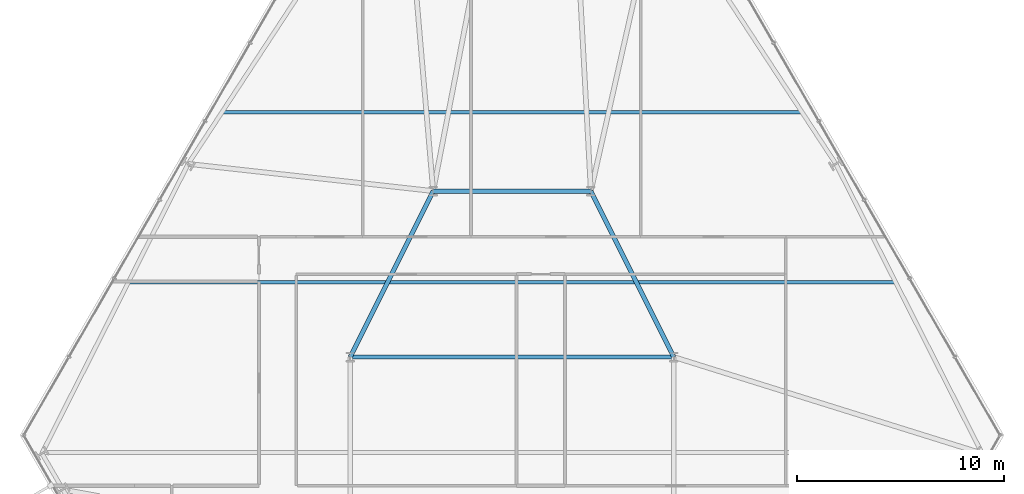
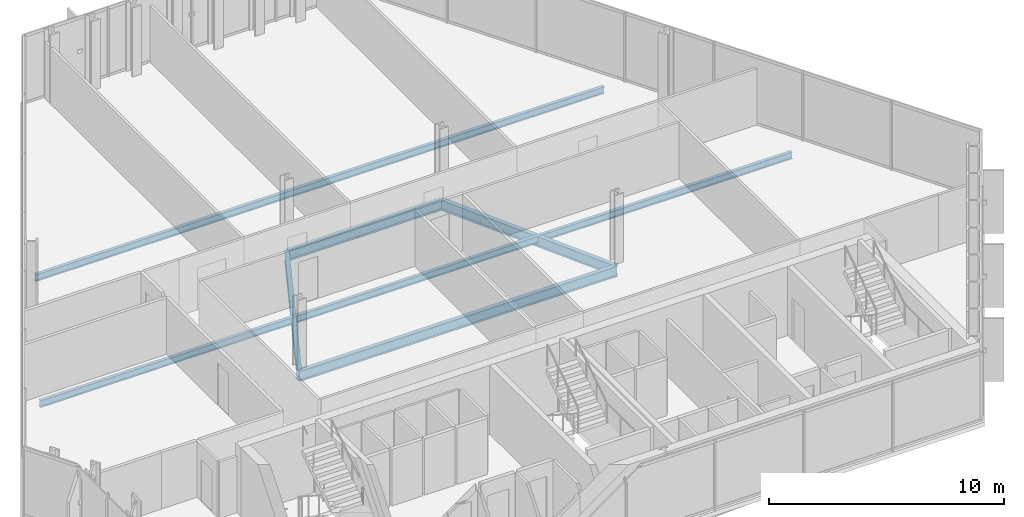
# One storey, part 13 of 33: 6 beams.
"""IFC4 building model written with IfcOpenShell, lengths in metres."""

from ifc_helpers import new_model, si_unit, direction, frame, origin, origin_2d, place, context, subcontext, project, spatial, i_section, extrude, material, material_profile, profile_set, type_object, element, save


model = new_model("IFC4")

# Units and contexts
model_context = context("Model", 3, precision=1e-05, world=origin(), true_north=direction((0.0, 1.0)))
body_context = subcontext(model_context, "Body", "Model", "MODEL_VIEW")
ifc_project = project(units=[si_unit("LENGTHUNIT", "METRE"), si_unit("AREAUNIT", "SQUARE_METRE"), si_unit("VOLUMEUNIT", "CUBIC_METRE"), si_unit("PLANEANGLEUNIT", "RADIAN"), si_unit("MASSUNIT", "GRAM", prefix="KILO")], contexts=[model_context])

# Site, building, storey
site_placement = place(None, origin())
site = spatial("IfcSite", under=ifc_project, at=site_placement, CompositionType="ELEMENT")
building_placement = place(site_placement, origin())
building = spatial("IfcBuilding", under=site, at=building_placement, Name="Ndaravel Arena Tower", CompositionType="ELEMENT")
storey_placement = place(building_placement, frame((0.0, 0.0, 36.0)))
storey = spatial("IfcBuildingStorey", under=building, at=storey_placement, Name="L06", CompositionType="ELEMENT", Elevation=36.0)

# Beams
ifc_material_1 = material(Name="Steel S355", Category="steel")
ifc_material_profile_1 = material_profile(ifc_material_1, i_section(OverallWidth=0.210693359375, OverallDepth=0.53955078125, WebThickness=0.01171875, FlangeThickness=0.018798828125, FilletRadius=0.0126953125, at=origin_2d()), Name="UB 533x210x109")
ifc_profile_set_1 = profile_set([ifc_material_profile_1], Name="Steel S355")
beam_type_1 = type_object("IfcBeamType", Name="BM-GIRD-UB533", PredefinedType="BEAM", material=ifc_profile_set_1)
beam_1_placement = place(storey_placement, frame((34.199951171875, 23.199951171875, -0.48974609375), z_axis=(1.0, 0.0, 0.0), x_axis=(0.0, 1.0, 0.0)))
element("IfcBeam", 1, at=beam_1_placement, inside=storey, type_object=beam_type_1, Name="L06 Spine Link Girder SLG-03", PredefinedType="BEAM", context=body_context, shape_type="SweptSolid", body=[
    extrude(i_section(OverallWidth=0.210693359375, OverallDepth=0.53955078125, WebThickness=0.01171875, FlangeThickness=0.018798828125, FilletRadius=0.0126953125, at=origin_2d()), origin(), (0.0, 0.0, 1.0), 15.60009765625),
])
for number, where, z_axis, x_axis, name in (
    (2, (34.199951171875, 23.199951171875, -0.48974609375), (0.4472135955, 0.894427191, 0.0), (-0.894427191, 0.4472135955, 0.0), "L06 Spine Link Girder SLG-04"),
    (3, (49.800048828125, 23.199951171875, -0.48974609375), (-0.4472135955, 0.894427191, 0.0), (-0.894427191, -0.4472135955, 0.0), "L06 Spine Link Girder SLG-05"),
):
    element("IfcBeam", number, at=place(storey_placement, frame(where, z_axis=z_axis, x_axis=x_axis)), inside=storey, type_object=beam_type_1, Name=name, PredefinedType="BEAM", context=body_context, shape_type="SweptSolid", body=[
        extrude(i_section(OverallWidth=0.210693359375, OverallDepth=0.53955078125, WebThickness=0.01171875, FlangeThickness=0.018798828125, FilletRadius=0.0126953125, at=origin_2d()), origin(), (0.0, 0.0, 1.0), 8.9443359375),
    ])
beam_2_placement = place(storey_placement, frame((38.199951171875, 31.199951171875, -0.48974609375), z_axis=(1.0, 0.0, 0.0), x_axis=(0.0, 1.0, 0.0)))
element("IfcBeam", 4, at=beam_2_placement, inside=storey, type_object=beam_type_1, Name="L06 Spine Link Girder SLG-06", PredefinedType="BEAM", context=body_context, shape_type="SweptSolid", body=[
    extrude(i_section(OverallWidth=0.210693359375, OverallDepth=0.53955078125, WebThickness=0.01171875, FlangeThickness=0.018798828125, FilletRadius=0.0126953125, at=origin_2d()), origin(), (0.0, 0.0, 1.0), 7.60009765625),
])
ifc_material_2 = material(Name="Steel S355", Category="steel")
ifc_material_profile_2 = material_profile(ifc_material_2, i_section(OverallWidth=0.169921875, OverallDepth=0.360107421875, WebThickness=0.008056640625, FlangeThickness=0.0126953125, FilletRadius=0.01806640625, at=origin_2d()), Name="IPE 360")
ifc_profile_set_2 = profile_set([ifc_material_profile_2], Name="Steel S355")
beam_type_2 = type_object("IfcBeamType", Name="BM-JOIST-IPE360", PredefinedType="JOIST", material=ifc_profile_set_2)
beam_3_placement = place(storey_placement, frame((23.509521484375, 26.800048828125, -0.39990234375), z_axis=(1.0, 0.0, 0.0), x_axis=(0.0, 1.0, 0.0)))
element("IfcBeam", 5, at=beam_3_placement, inside=storey, type_object=beam_type_2, Name="L06 Composite Floor Joist FJ-02", PredefinedType="JOIST", context=body_context, shape_type="SweptSolid", body=[
    extrude(i_section(OverallWidth=0.169921875, OverallDepth=0.360107421875, WebThickness=0.008056640625, FlangeThickness=0.0126953125, FilletRadius=0.01806640625, at=origin_2d()), origin(), (0.0, 0.0, 1.0), 36.98095703125),
])
beam_4_placement = place(storey_placement, frame((28.0234375, 35.0, -0.39990234375), z_axis=(1.0, 0.0, 0.0), x_axis=(0.0, 1.0, 0.0)))
element("IfcBeam", 6, at=beam_4_placement, inside=storey, type_object=beam_type_2, Name="L06 Composite Floor Joist FJ-03", PredefinedType="JOIST", context=body_context, shape_type="SweptSolid", body=[
    extrude(i_section(OverallWidth=0.169921875, OverallDepth=0.360107421875, WebThickness=0.008056640625, FlangeThickness=0.0126953125, FilletRadius=0.01806640625, at=origin_2d()), origin(), (0.0, 0.0, 1.0), 27.953125),
])

save(model, "model.ifc")
